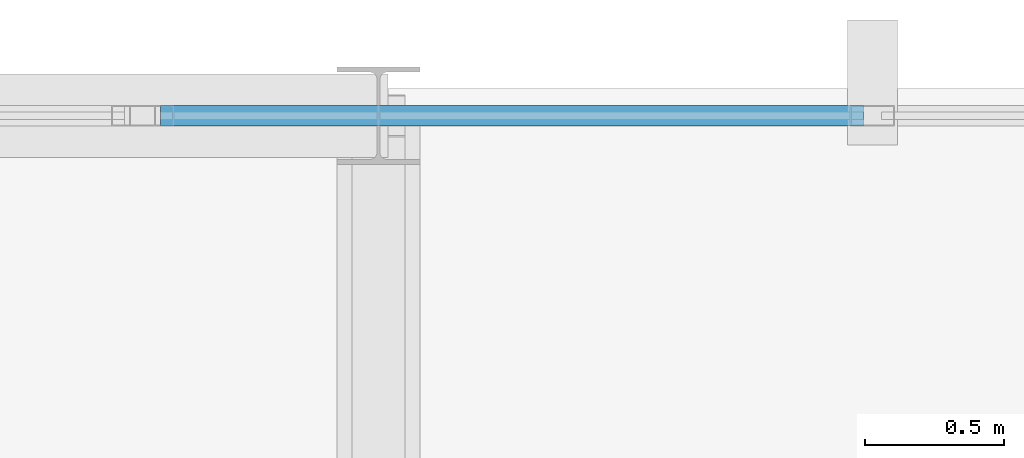
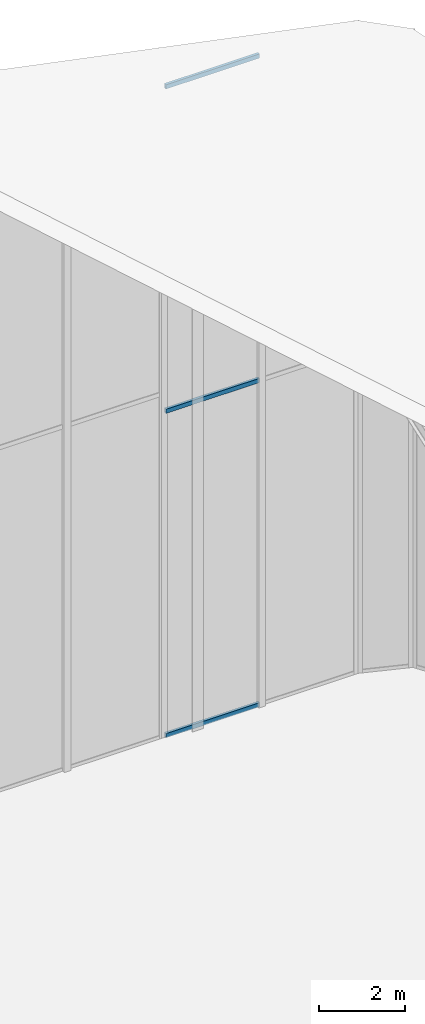
# One storey, part 59 of 74: 3 members, 1 element without a shape of its own.
"""IFC4 building model written with IfcOpenShell, lengths in metres."""

from ifc_helpers import new_model, si_unit, direction, frame, origin, origin_2d, place, context, subcontext, project, spatial, hollow_rectangle, extrude, material, layer, layer_set, material_profile, profile_set, type_object, element, aggregate, save


model = new_model("IFC4")

# Units and contexts
model_context = context("Model", 3, precision=1e-05, world=origin(), true_north=direction((0.0, 1.0)))
body_context = subcontext(model_context, "Body", "Model", "MODEL_VIEW")
ifc_project = project(units=[si_unit("LENGTHUNIT", "METRE"), si_unit("AREAUNIT", "SQUARE_METRE"), si_unit("VOLUMEUNIT", "CUBIC_METRE"), si_unit("PLANEANGLEUNIT", "RADIAN"), si_unit("MASSUNIT", "GRAM", prefix="KILO")], contexts=[model_context])

# Site, building, storey
site_placement = place(None, origin())
site = spatial("IfcSite", under=ifc_project, at=site_placement, CompositionType="ELEMENT")
building_placement = place(site_placement, origin())
building = spatial("IfcBuilding", under=site, at=building_placement, Name="Keshet Zoharim Tower", CompositionType="ELEMENT")
storey_placement = place(building_placement, frame((0.0, 0.0, 320.0)))
storey = spatial("IfcBuildingStorey", under=building, at=storey_placement, Name="RF", CompositionType="ELEMENT", Elevation=320.0)

# Curtain wall, members
ifc_material = material(Name="Aluminium 6063-T6", Category="aluminium")
ifc_layer = layer(ifc_material, 0.260009765625)
ifc_layer_set = layer_set([ifc_layer], Name="Aluminium 6063-T6")
curtain_wall_type = type_object("IfcCurtainWallType", Name="CW-SYS-06", PredefinedType="NOTDEFINED", material=ifc_layer_set)
curtain_wall_placement = place(storey_placement, origin())
curtain_wall = element("IfcCurtainWall", 1, at=curtain_wall_placement, inside=storey, type_object=curtain_wall_type, Name="Slanted Crown Curtain Wall 14", PredefinedType="NOTDEFINED")
ifc_material_profile = material_profile(ifc_material, hollow_rectangle(XDim=0.074951171875, YDim=0.1201171875, WallThickness=0.00390625, at=origin_2d()), Name="TRN-75x120")
ifc_profile_set = profile_set([ifc_material_profile], Name="Aluminium 6063-T6")
member_type = type_object("IfcMemberType", Name="CWT-T12", PredefinedType="USERDEFINED", material=ifc_profile_set)
member_1_placement = place(storey_placement, frame((32.215087890625, 53.89990234375, 0.032470703125), z_axis=(1.0, 0.0, 0.0), x_axis=(0.0, 1.0, 0.0)))
member_1 = element("IfcMember", 2, at=member_1_placement, type_object=member_type, Name="CW-06 transom 1.1", ObjectType="TRANSOM", PredefinedType="USERDEFINED", context=body_context, shape_type="SweptSolid", body=[
    extrude(hollow_rectangle(XDim=0.074951171875, YDim=0.1201171875, WallThickness=0.00390625, at=origin_2d()), origin(), (0.0, 0.0, 1.0), 2.531982421875),
])
member_2_placement = place(storey_placement, frame((32.215087890625, 53.89990234375, 9.287109375), z_axis=(1.0, 0.0, 0.0), x_axis=(0.0, 1.0, 0.0)))
member_2 = element("IfcMember", 3, at=member_2_placement, type_object=member_type, Name="CW-06 transom 1.2", ObjectType="TRANSOM", PredefinedType="USERDEFINED", context=body_context, shape_type="SweptSolid", body=[
    extrude(hollow_rectangle(XDim=0.074951171875, YDim=0.1201171875, WallThickness=0.00390625, at=origin_2d()), origin(), (0.0, 0.0, 1.0), 2.531982421875),
])
member_3_placement = place(storey_placement, frame((32.215087890625, 53.89990234375, 18.54150390625), z_axis=(1.0, 0.0, 0.0), x_axis=(0.0, 1.0, 0.0)))
member_3 = element("IfcMember", 4, at=member_3_placement, type_object=member_type, Name="CW-06 transom 1.3", ObjectType="TRANSOM", PredefinedType="USERDEFINED", context=body_context, shape_type="SweptSolid", body=[
    extrude(hollow_rectangle(XDim=0.074951171875, YDim=0.1201171875, WallThickness=0.00390625, at=origin_2d()), origin(), (0.0, 0.0, 1.0), 2.531982421875),
])
aggregate(curtain_wall, [member_1, member_2, member_3])

save(model, "model.ifc")
